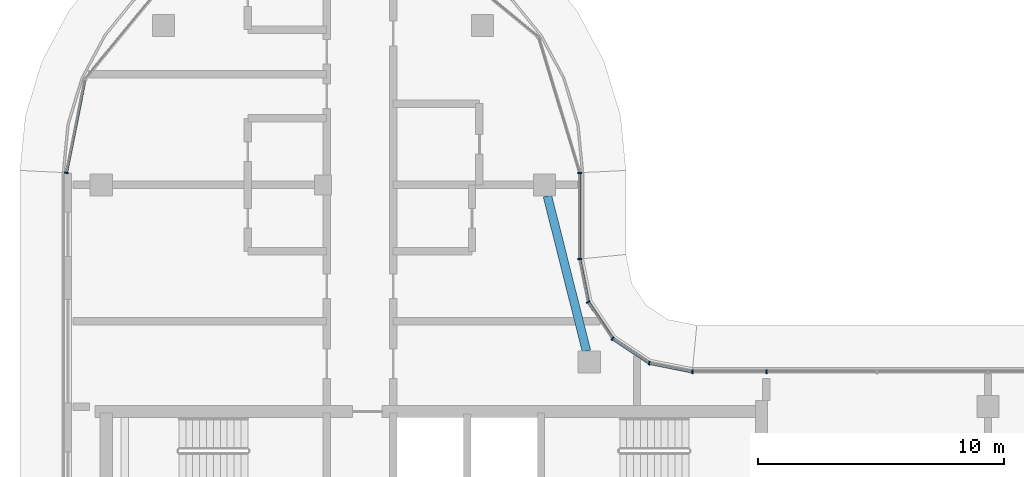
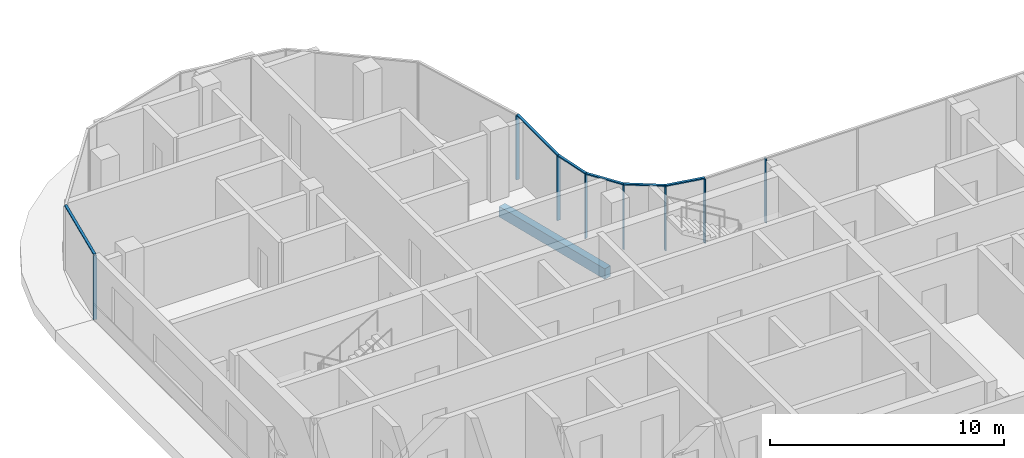
# One storey, part 2 of 21: 14 members, 1 beam, 4 elements without a shape of their own.
"""IFC4 building model written with IfcOpenShell, lengths in metres."""

from ifc_helpers import new_model, si_unit, direction, frame, origin, origin_2d, place, context, subcontext, project, spatial, rectangle, extrude, material, material_profile, profile_set, type_object, element, aggregate, save


model = new_model("IFC4")

# Units and contexts
model_context = context("Model", 3, precision=1e-05, world=origin(), true_north=direction((0.0, 1.0)))
body_context = subcontext(model_context, "Body", "Model", "MODEL_VIEW")
ifc_project = project(units=[si_unit("LENGTHUNIT", "METRE"), si_unit("AREAUNIT", "SQUARE_METRE"), si_unit("VOLUMEUNIT", "CUBIC_METRE"), si_unit("PLANEANGLEUNIT", "RADIAN"), si_unit("MASSUNIT", "GRAM", prefix="KILO")], contexts=[model_context])

# Site, building, storey
site_placement = place(None, origin())
site = spatial("IfcSite", under=ifc_project, at=site_placement, CompositionType="ELEMENT")
building_placement = place(site_placement, origin())
building = spatial("IfcBuilding", under=site, at=building_placement, Name="Ogive Portal Towers", CompositionType="ELEMENT")
storey_placement = place(building_placement, frame((0.0, 0.0, 225.39990234375)))
storey = spatial("IfcBuildingStorey", under=building, at=storey_placement, Name="L56", CompositionType="ELEMENT", Elevation=225.39990234375)

# Curtain wall, members
ifc_material_1 = material(Name="Glass, clear low-iron insulated glazing", Category="glass")
curtain_wall_type = type_object("IfcCurtainWallType", Name="CW FRONT RIBBON 4500", PredefinedType="NOTDEFINED", material=ifc_material_1)
curtain_wall_1_placement = place(storey_placement, origin())
curtain_wall_1 = element("IfcCurtainWall", 1, at=curtain_wall_1_placement, inside=storey, type_object=curtain_wall_type, Name="A:L56:f12:cw0", PredefinedType="NOTDEFINED")
ifc_material_2 = material(Name="Aluminium 6063 anodised", Category="aluminium")
ifc_material_profile_1 = material_profile(ifc_material_2, rectangle(XDim=0.159912109375, YDim=0.06005859375, at=origin_2d()), Name="AL 60x160")
ifc_profile_set_1 = profile_set([ifc_material_profile_1], Name="Aluminium 6063 anodised")
member_type_1 = type_object("IfcMemberType", Name="CW MULLION 60x160", PredefinedType="MULLION", material=ifc_profile_set_1)
member_1_placement = place(storey_placement, frame((58.5, 40.919921875, 0.0), z_axis=(0.0, 0.0, 1.0), x_axis=(0.0, -1.0, 0.0)))
member_1 = element("IfcMember", 2, at=member_1_placement, type_object=member_type_1, Name="mullion", PredefinedType="MULLION", context=body_context, shape_type="SweptSolid", body=[
    extrude(rectangle(XDim=0.159912109375, YDim=0.06005859375, at=origin_2d()), origin(), (0.0, 0.0, 1.0), 3.340087890625),
])
member_2_placement = place(storey_placement, frame((55.4921875, 40.919921875, 0.0), z_axis=(0.0, 0.0, 1.0), x_axis=(0.0, -1.0, 0.0)))
member_2 = element("IfcMember", 3, at=member_2_placement, type_object=member_type_1, Name="mullion", PredefinedType="MULLION", context=body_context, shape_type="SweptSolid", body=[
    extrude(rectangle(XDim=0.159912109375, YDim=0.06005859375, at=origin_2d()), origin(), (0.0, 0.0, 1.0), 3.340087890625),
])
aggregate(curtain_wall_1, [member_1, member_2])

curtain_wall_2_placement = place(storey_placement, origin())
curtain_wall_2 = element("IfcCurtainWall", 4, at=curtain_wall_2_placement, inside=storey, type_object=curtain_wall_type, Name="A:L56:f17:cw0", PredefinedType="NOTDEFINED")
member_3_placement = place(storey_placement, frame((50.919921875, 45.4921875, 0.0), z_axis=(0.0, 0.0, 1.0), x_axis=(-1.0, 0.0, 0.0)))
member_3 = element("IfcMember", 5, at=member_3_placement, type_object=member_type_1, Name="mullion", PredefinedType="MULLION", context=body_context, shape_type="SweptSolid", body=[
    extrude(rectangle(XDim=0.159912109375, YDim=0.06005859375, at=origin_2d()), origin(), (0.0, 0.0, 1.0), 3.340087890625),
])
member_4_placement = place(storey_placement, frame((50.919921875, 48.988037109375, 0.0), z_axis=(0.0, 0.0, 1.0), x_axis=(-1.0, 0.0, 0.0)))
member_4 = element("IfcMember", 6, at=member_4_placement, type_object=member_type_1, Name="mullion", PredefinedType="MULLION", context=body_context, shape_type="SweptSolid", body=[
    extrude(rectangle(XDim=0.159912109375, YDim=0.06005859375, at=origin_2d()), origin(), (0.0, 0.0, 1.0), 3.340087890625),
])

curtain_wall_3_placement = place(storey_placement, origin())
curtain_wall_3 = element("IfcCurtainWall", 7, at=curtain_wall_3_placement, inside=storey, type_object=curtain_wall_type, Name="A:L56:f13:cwa", PredefinedType="NOTDEFINED")
member_5_placement = place(storey_placement, frame((53.746826171875, 41.26708984375, 0.0), z_axis=(0.0, 0.0, 1.0), x_axis=(-0.195090322016, -0.980785280403, 0.0)))
member_5 = element("IfcMember", 8, at=member_5_placement, type_object=member_type_1, Name="mullion", PredefinedType="MULLION", context=body_context, shape_type="SweptSolid", body=[
    extrude(rectangle(XDim=0.159912109375, YDim=0.06005859375, at=origin_2d()), origin(), (0.0, 0.0, 1.0), 3.340087890625),
])
member_6_placement = place(storey_placement, frame((52.26025390625, 42.26025390625, 0.0), z_axis=(0.0, 0.0, 1.0), x_axis=(-0.55557023302, -0.831469612303, 0.0)))
member_6 = element("IfcMember", 9, at=member_6_placement, type_object=member_type_1, Name="mullion", PredefinedType="MULLION", context=body_context, shape_type="SweptSolid", body=[
    extrude(rectangle(XDim=0.159912109375, YDim=0.06005859375, at=origin_2d()), origin(), (0.0, 0.0, 1.0), 3.340087890625),
])
member_7_placement = place(storey_placement, frame((51.26708984375, 43.746826171875, 0.0), z_axis=(0.0, 0.0, 1.0), x_axis=(-0.831469612303, -0.55557023302, 0.0)))
member_7 = element("IfcMember", 10, at=member_7_placement, type_object=member_type_1, Name="mullion", PredefinedType="MULLION", context=body_context, shape_type="SweptSolid", body=[
    extrude(rectangle(XDim=0.159912109375, YDim=0.06005859375, at=origin_2d()), origin(), (0.0, 0.0, 1.0), 3.340087890625),
])

# Curtain wall, member
curtain_wall_4_placement = place(storey_placement, origin())
curtain_wall_4 = element("IfcCurtainWall", 11, at=curtain_wall_4_placement, inside=storey, type_object=curtain_wall_type, Name="A:L56:f18:cwa", PredefinedType="NOTDEFINED")
member_8_placement = place(storey_placement, frame((30.080078125, 48.9921875, 0.0), z_axis=(0.0, 0.0, 1.0), x_axis=(0.980785280403, -0.195090322016, 0.0)))
member_8 = element("IfcMember", 12, at=member_8_placement, type_object=member_type_1, Name="mullion", PredefinedType="MULLION", context=body_context, shape_type="SweptSolid", body=[
    extrude(rectangle(XDim=0.159912109375, YDim=0.06005859375, at=origin_2d()), origin(), (0.0, 0.0, 1.0), 3.340087890625),
])

# Member
ifc_material_profile_2 = material_profile(ifc_material_2, rectangle(XDim=0.1201171875, YDim=0.06005859375, at=origin_2d()), Name="AL 120x60")
ifc_profile_set_2 = profile_set([ifc_material_profile_2], Name="Aluminium 6063 anodised")
member_type_2 = type_object("IfcMemberType", Name="CW TRANSOM 60x120", PredefinedType="USERDEFINED", material=ifc_profile_set_2)
member_9_placement = place(storey_placement, frame((50.919921875, 45.4921875, 3.3701171875), z_axis=(0.0, 1.0, 0.0), x_axis=(-1.0, 0.0, 0.0)))
member_9 = element("IfcMember", 13, at=member_9_placement, type_object=member_type_2, Name="transom", ObjectType="TRANSOM", PredefinedType="USERDEFINED", context=body_context, shape_type="SweptSolid", body=[
    extrude(rectangle(XDim=0.1201171875, YDim=0.06005859375, at=origin_2d()), origin(), (0.0, 0.0, 1.0), 3.495849609375),
])

aggregate(curtain_wall_2, [member_9, member_3, member_4])

member_10_placement = place(storey_placement, frame((55.4921875, 40.919921875, 3.3701171875), z_axis=(-0.980785923915, 0.195087086838, 0.0), x_axis=(-0.195087086838, -0.980785923915, 0.0)))
member_10 = element("IfcMember", 14, at=member_10_placement, type_object=member_type_2, Name="transom", ObjectType="TRANSOM", PredefinedType="USERDEFINED", context=body_context, shape_type="SweptSolid", body=[
    extrude(rectangle(XDim=0.1201171875, YDim=0.06005859375, at=origin_2d()), origin(), (0.0, 0.0, 1.0), 1.779541015625),
])

member_11_placement = place(storey_placement, frame((53.746826171875, 41.26708984375, 3.3701171875), z_axis=(-0.831503657605, 0.555519277244, 0.0), x_axis=(-0.555519277244, -0.831503657605, 0.0)))
member_11 = element("IfcMember", 15, at=member_11_placement, type_object=member_type_2, Name="transom", ObjectType="TRANSOM", PredefinedType="USERDEFINED", context=body_context, shape_type="SweptSolid", body=[
    extrude(rectangle(XDim=0.1201171875, YDim=0.06005859375, at=origin_2d()), origin(), (0.0, 0.0, 1.0), 1.787841796875),
])

member_12_placement = place(storey_placement, frame((52.26025390625, 42.26025390625, 3.3701171875), z_axis=(-0.555519277244, 0.831503657605, 0.0), x_axis=(-0.831503657605, -0.555519277244, 0.0)))
member_12 = element("IfcMember", 16, at=member_12_placement, type_object=member_type_2, Name="transom", ObjectType="TRANSOM", PredefinedType="USERDEFINED", context=body_context, shape_type="SweptSolid", body=[
    extrude(rectangle(XDim=0.1201171875, YDim=0.06005859375, at=origin_2d()), origin(), (0.0, 0.0, 1.0), 1.787841796875),
])

member_13_placement = place(storey_placement, frame((51.26708984375, 43.746826171875, 3.3701171875), z_axis=(-0.195087086838, 0.980785923915, 0.0), x_axis=(-0.980785923915, -0.195087086838, 0.0)))
member_13 = element("IfcMember", 17, at=member_13_placement, type_object=member_type_2, Name="transom", ObjectType="TRANSOM", PredefinedType="USERDEFINED", context=body_context, shape_type="SweptSolid", body=[
    extrude(rectangle(XDim=0.1201171875, YDim=0.06005859375, at=origin_2d()), origin(), (0.0, 0.0, 1.0), 1.779541015625),
])

aggregate(curtain_wall_3, [member_10, member_11, member_12, member_13, member_5, member_6, member_7])

member_14_placement = place(storey_placement, frame((30.835693359375, 52.79150390625, 3.3701171875), z_axis=(-0.195061569373, -0.980790999221, 0.0), x_axis=(0.980790999221, -0.195061569373, 0.0)))
member_14 = element("IfcMember", 18, at=member_14_placement, type_object=member_type_2, Name="transom", ObjectType="TRANSOM", PredefinedType="USERDEFINED", context=body_context, shape_type="SweptSolid", body=[
    extrude(rectangle(XDim=0.1201171875, YDim=0.06005859375, at=origin_2d()), origin(), (0.0, 0.0, 1.0), 3.873779296875),
])

aggregate(curtain_wall_4, [member_14, member_8])

# Beam
ifc_material_3 = material(Name="Concrete C50/60", Category="concrete")
ifc_material_profile_3 = material_profile(ifc_material_3, rectangle(XDim=0.35009765625, YDim=0.550048828125, at=origin_2d()), Name="RC 350x550")
ifc_profile_set_3 = profile_set([ifc_material_profile_3], Name="Concrete C50/60")
beam_type = type_object("IfcBeamType", Name="SPANDREL BEAM RC 350x550", PredefinedType="BEAM", material=ifc_profile_set_3)
beam_placement = place(storey_placement, frame((49.61328125, 48.050048828125, -0.574951171875), z_axis=(0.244129438789, -0.969742655098, 0.0), x_axis=(0.969742655098, 0.244129438789, 0.0)))
element("IfcBeam", 19, at=beam_placement, inside=storey, type_object=beam_type, Name="Spandrel beam L56", PredefinedType="BEAM", context=body_context, shape_type="SweptSolid", body=[
    extrude(rectangle(XDim=0.35009765625, YDim=0.550048828125, at=origin_2d()), origin(), (0.0, 0.0, 1.0), 6.486328125),
])

save(model, "model.ifc")
